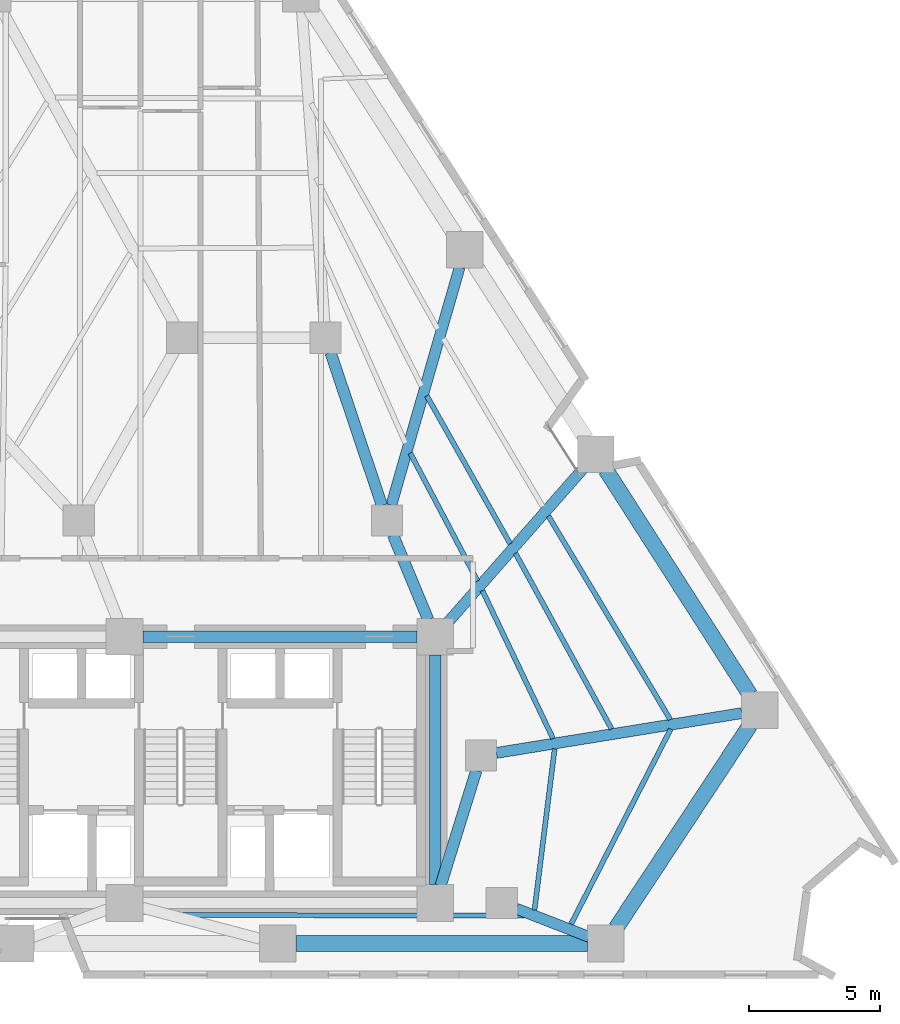
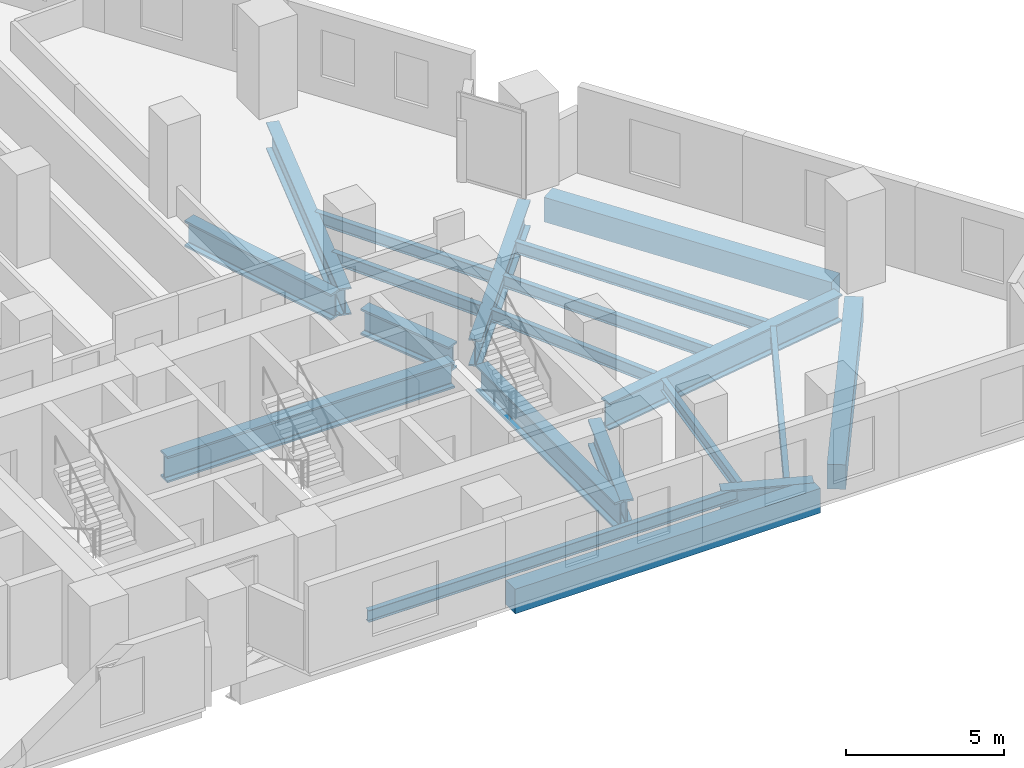
# One storey, part 4 of 13: 20 beams.
"""IFC4 building model written with IfcOpenShell, lengths in metres."""

from ifc_helpers import new_model, si_unit, direction, frame, origin, origin_2d, place, context, subcontext, project, spatial, rectangle, i_section, extrude, material, material_profile, profile_set, type_object, element, save


model = new_model("IFC4")

# Units and contexts
model_context = context("Model", 3, precision=1e-05, world=origin(), true_north=direction((0.0, 1.0)))
body_context = subcontext(model_context, "Body", "Model", "MODEL_VIEW")
ifc_project = project(units=[si_unit("LENGTHUNIT", "METRE"), si_unit("AREAUNIT", "SQUARE_METRE"), si_unit("VOLUMEUNIT", "CUBIC_METRE"), si_unit("PLANEANGLEUNIT", "RADIAN"), si_unit("MASSUNIT", "GRAM", prefix="KILO")], contexts=[model_context])

# Site, building, storey
site_placement = place(None, origin())
site = spatial("IfcSite", under=ifc_project, at=site_placement, CompositionType="ELEMENT")
building_placement = place(site_placement, origin())
building = spatial("IfcBuilding", under=site, at=building_placement, Name="Almagre Mirador Tower", CompositionType="ELEMENT")
storey_placement = place(building_placement, frame((0.0, 0.0, 49.800048828125)))
storey = spatial("IfcBuildingStorey", under=building, at=storey_placement, Name="L11", CompositionType="ELEMENT", Elevation=49.800048828125)

# Beams
ifc_material_1 = material(Name="Steel ASTM A992 Grade 50", Category="steel")
ifc_material_profile_1 = material_profile(ifc_material_1, i_section(OverallWidth=0.19091796875, OverallDepth=0.4599609375, WebThickness=0.010009765625, FlangeThickness=0.01611328125, FilletRadius=0.01611328125, at=origin_2d()), Name="W18X55")
ifc_profile_set_1 = profile_set([ifc_material_profile_1], Name="Steel ASTM A992 Grade 50")
beam_type_1 = type_object("IfcBeamType", Name="BM-JST-W18X55", PredefinedType="JOIST", material=ifc_profile_set_1)
beam_1_placement = place(storey_placement, frame((37.12109375, 4.0849609375, -0.47998046875), z_axis=(0.999999653669, -0.000832262562, 0.0), x_axis=(0.000832262562, 0.999999653669, 0.0)))
element("IfcBeam", 1, at=beam_1_placement, inside=storey, type_object=beam_type_1, Name="L11 secondary floor joist PC03-PC04.3", PredefinedType="JOIST", context=body_context, shape_type="SweptSolid", body=[
    extrude(i_section(OverallWidth=0.19091796875, OverallDepth=0.4599609375, WebThickness=0.010009765625, FlangeThickness=0.01611328125, FilletRadius=0.01611328125, at=origin_2d()), origin(), (0.0, 0.0, 1.0), 13.493896484375),
])
beam_2_placement = place(storey_placement, frame((52.25048828125, 3.742431640625, -0.47998046875), z_axis=(0.454943766331, 0.890520167922, 0.0), x_axis=(-0.890520167922, 0.454943766331, 0.0)))
element("IfcBeam", 2, at=beam_2_placement, inside=storey, type_object=beam_type_1, Name="L11 secondary floor joist PC04-PC05.1", PredefinedType="JOIST", context=body_context, shape_type="SweptSolid", body=[
    extrude(i_section(OverallWidth=0.19091796875, OverallDepth=0.4599609375, WebThickness=0.010009765625, FlangeThickness=0.01611328125, FilletRadius=0.01611328125, at=origin_2d()), origin(), (0.0, 0.0, 1.0), 8.3828125),
])
beam_3_placement = place(storey_placement, frame((50.8505859375, 4.281494140625, -0.47998046875), z_axis=(0.124020243408, 0.992279688004, 0.0), x_axis=(-0.992279688004, 0.124020243408, 0.0)))
element("IfcBeam", 3, at=beam_3_placement, inside=storey, type_object=beam_type_1, Name="L11 secondary floor joist PC04-PC05.3", PredefinedType="JOIST", context=body_context, shape_type="SweptSolid", body=[
    extrude(i_section(OverallWidth=0.19091796875, OverallDepth=0.4599609375, WebThickness=0.010009765625, FlangeThickness=0.01611328125, FilletRadius=0.01611328125, at=origin_2d()), origin(), (0.0, 0.0, 1.0), 6.220703125),
])
beam_4_placement = place(storey_placement, frame((56.0517578125, 11.57373046875, -0.47998046875), z_axis=(-0.513871177403, 0.857867363311, 0.0), x_axis=(-0.857867363311, -0.513871177403, 0.0)))
element("IfcBeam", 4, at=beam_4_placement, inside=storey, type_object=beam_type_1, Name="L11 secondary floor joist PC05-PC06.1", PredefinedType="JOIST", context=body_context, shape_type="SweptSolid", body=[
    extrude(i_section(OverallWidth=0.19091796875, OverallDepth=0.4599609375, WebThickness=0.010009765625, FlangeThickness=0.01611328125, FilletRadius=0.01611328125, at=origin_2d()), origin(), (0.0, 0.0, 1.0), 9.08447265625),
])
beam_5_placement = place(storey_placement, frame((53.802978515625, 11.2119140625, -0.47998046875), z_axis=(-0.480004943327, 0.877265783205, 0.0), x_axis=(-0.877265783205, -0.480004943327, 0.0)))
element("IfcBeam", 5, at=beam_5_placement, inside=storey, type_object=beam_type_1, Name="L11 secondary floor joist PC05-PC06.2", PredefinedType="JOIST", context=body_context, shape_type="SweptSolid", body=[
    extrude(i_section(OverallWidth=0.19091796875, OverallDepth=0.4599609375, WebThickness=0.010009765625, FlangeThickness=0.01611328125, FilletRadius=0.01611328125, at=origin_2d()), origin(), (0.0, 0.0, 1.0), 7.66845703125),
])
beam_6_placement = place(storey_placement, frame((51.557861328125, 10.85107421875, -0.47998046875), z_axis=(-0.430675529858, 0.902506835421, 0.0), x_axis=(-0.902506835421, -0.430675529858, 0.0)))
element("IfcBeam", 6, at=beam_6_placement, inside=storey, type_object=beam_type_1, Name="L11 secondary floor joist PC05-PC06.3", PredefinedType="JOIST", context=body_context, shape_type="SweptSolid", body=[
    extrude(i_section(OverallWidth=0.19091796875, OverallDepth=0.4599609375, WebThickness=0.010009765625, FlangeThickness=0.01611328125, FilletRadius=0.01611328125, at=origin_2d()), origin(), (0.0, 0.0, 1.0), 6.270263671875),
])
beam_7_placement = place(storey_placement, frame((49.918701171875, 18.305419921875, -0.47998046875), z_axis=(-0.490831296071, 0.871254634879, 0.0), x_axis=(-0.871254634879, -0.490831296071, 0.0)))
element("IfcBeam", 7, at=beam_7_placement, inside=storey, type_object=beam_type_1, Name="L11 secondary floor joist PC06-PC07.2", PredefinedType="JOIST", context=body_context, shape_type="SweptSolid", body=[
    extrude(i_section(OverallWidth=0.19091796875, OverallDepth=0.4599609375, WebThickness=0.010009765625, FlangeThickness=0.01611328125, FilletRadius=0.01611328125, at=origin_2d()), origin(), (0.0, 0.0, 1.0), 6.505615234375),
])
beam_8_placement = place(storey_placement, frame((48.66943359375, 16.884521484375, -0.47998046875), z_axis=(-0.46582280431, 0.884878022659, 0.0), x_axis=(-0.884878022659, -0.46582280431, 0.0)))
element("IfcBeam", 8, at=beam_8_placement, inside=storey, type_object=beam_type_1, Name="L11 secondary floor joist PC06-PC07.3", PredefinedType="JOIST", context=body_context, shape_type="SweptSolid", body=[
    extrude(i_section(OverallWidth=0.19091796875, OverallDepth=0.4599609375, WebThickness=0.010009765625, FlangeThickness=0.01611328125, FilletRadius=0.01611328125, at=origin_2d()), origin(), (0.0, 0.0, 1.0), 5.533447265625),
])
ifc_material_2 = material(Name="Precast concrete C50/60", Category="concrete")
ifc_material_profile_2 = material_profile(ifc_material_2, rectangle(XDim=0.60009765625, YDim=0.949951171875, at=origin_2d()), Name="RC600X950")
ifc_profile_set_2 = profile_set([ifc_material_profile_2], Name="Precast concrete C50/60")
beam_type_2 = type_object("IfcBeamType", Name="BM-SPN-RC600X950", PredefinedType="SPANDREL", material=ifc_profile_set_2)
beam_9_placement = place(storey_placement, frame((41.72412109375, 3.0, -0.72509765625), z_axis=(1.0, 0.0, 0.0), x_axis=(0.0, 1.0, 0.0)))
element("IfcBeam", 9, at=beam_9_placement, inside=storey, type_object=beam_type_2, Name="L11 perimeter spandrel beam PC03-PC04", PredefinedType="SPANDREL", context=body_context, shape_type="SweptSolid", body=[
    extrude(rectangle(XDim=0.60009765625, YDim=0.949951171875, at=origin_2d()), origin(), (0.0, 0.0, 1.0), 11.159912109375),
])
beam_10_placement = place(storey_placement, frame((53.9697265625, 3.584228515625, -0.72509765625), z_axis=(0.550976725149, 0.834520609898, 0.0), x_axis=(-0.834520609898, 0.550976725149, 0.0)))
element("IfcBeam", 10, at=beam_10_placement, inside=storey, type_object=beam_type_2, Name="L11 perimeter spandrel beam PC04-PC05", PredefinedType="SPANDREL", context=body_context, shape_type="SweptSolid", body=[
    extrude(rectangle(XDim=0.60009765625, YDim=0.949951171875, at=origin_2d()), origin(), (0.0, 0.0, 1.0), 9.304443359375),
])
beam_11_placement = place(storey_placement, frame((59.104248046875, 12.5224609375, -0.72509765625), z_axis=(-0.539549548581, 0.841953849463, 0.0), x_axis=(-0.841953849463, -0.539549548581, 0.0)))
element("IfcBeam", 11, at=beam_11_placement, inside=storey, type_object=beam_type_2, Name="L11 perimeter spandrel beam PC05-PC06", PredefinedType="SPANDREL", context=body_context, shape_type="SweptSolid", body=[
    extrude(rectangle(XDim=0.60009765625, YDim=0.949951171875, at=origin_2d()), origin(), (0.0, 0.0, 1.0), 10.239501953125),
])
ifc_material_3 = material(Name="Steel ASTM A992 Grade 50", Category="steel")
ifc_material_profile_3 = material_profile(ifc_material_3, i_section(OverallWidth=0.43701171875, OverallDepth=1.010986328125, WebThickness=0.041015625, FlangeThickness=0.073974609375, FilletRadius=0.028076171875, at=origin_2d()), Name="W36X529")
ifc_profile_set_3 = profile_set([ifc_material_profile_3], Name="Steel ASTM A992 Grade 50")
beam_type_3 = type_object("IfcBeamType", Name="BM-STL-W36X529", PredefinedType="BEAM", material=ifc_profile_set_3)
beam_12_placement = place(storey_placement, frame((35.85009765625, 14.75, -0.755615234375), z_axis=(1.0, 0.0, 0.0), x_axis=(0.0, 1.0, 0.0)))
element("IfcBeam", 12, at=beam_12_placement, inside=storey, type_object=beam_type_3, Name="L11 core tie girder CC5-CC6", PredefinedType="BEAM", context=body_context, shape_type="SweptSolid", body=[
    extrude(i_section(OverallWidth=0.43701171875, OverallDepth=1.010986328125, WebThickness=0.041015625, FlangeThickness=0.073974609375, FilletRadius=0.028076171875, at=origin_2d()), origin(), (0.0, 0.0, 1.0), 10.5),
])
beam_13_placement = place(storey_placement, frame((47.050048828125, 5.25, -0.755615234375), z_axis=(0.0, 1.0, 0.0), x_axis=(-1.0, 0.0, 0.0)))
element("IfcBeam", 13, at=beam_13_placement, inside=storey, type_object=beam_type_3, Name="L11 core tie girder CC3-CC6", PredefinedType="BEAM", context=body_context, shape_type="SweptSolid", body=[
    extrude(i_section(OverallWidth=0.43701171875, OverallDepth=1.010986328125, WebThickness=0.041015625, FlangeThickness=0.073974609375, FilletRadius=0.028076171875, at=origin_2d()), origin(), (0.0, 0.0, 1.0), 8.800048828125),
])
beam_14_placement = place(storey_placement, frame((48.62255859375, 9.626953125, -0.755615234375), z_axis=(-0.295888328273, -0.955222538046, 0.0), x_axis=(0.955222538046, -0.295888328273, 0.0)))
element("IfcBeam", 14, at=beam_14_placement, inside=storey, type_object=beam_type_3, Name="L11 core tie girder MC3-CC3", PredefinedType="BEAM", context=body_context, shape_type="SweptSolid", body=[
    extrude(i_section(OverallWidth=0.43701171875, OverallDepth=1.010986328125, WebThickness=0.041015625, FlangeThickness=0.073974609375, FilletRadius=0.028076171875, at=origin_2d()), origin(), (0.0, 0.0, 1.0), 4.61474609375),
])
beam_15_placement = place(storey_placement, frame((45.430419921875, 18.64599609375, -0.755615234375), z_axis=(0.383856635851, -0.923392702545, 0.0), x_axis=(0.923392702545, 0.383856635851, 0.0)))
element("IfcBeam", 15, at=beam_15_placement, inside=storey, type_object=beam_type_3, Name="L11 core tie girder MC5-CC6", PredefinedType="BEAM", context=body_context, shape_type="SweptSolid", body=[
    extrude(i_section(OverallWidth=0.43701171875, OverallDepth=1.010986328125, WebThickness=0.041015625, FlangeThickness=0.073974609375, FilletRadius=0.028076171875, at=origin_2d()), origin(), (0.0, 0.0, 1.0), 3.51904296875),
])
beam_16_placement = place(storey_placement, frame((43.041015625, 25.631103515625, -0.755615234375), z_axis=(0.318252395552, -0.948006019351, 0.0), x_axis=(0.948006019351, 0.318252395552, 0.0)))
element("IfcBeam", 16, at=beam_16_placement, inside=storey, type_object=beam_type_3, Name="L11 core tie girder MC6-MC5", PredefinedType="BEAM", context=body_context, shape_type="SweptSolid", body=[
    extrude(i_section(OverallWidth=0.43701171875, OverallDepth=1.010986328125, WebThickness=0.041015625, FlangeThickness=0.073974609375, FilletRadius=0.028076171875, at=origin_2d()), origin(), (0.0, 0.0, 1.0), 6.183837890625),
])
ifc_material_4 = material(Name="Steel ASTM A913 Grade 65", Category="steel")
ifc_material_profile_4 = material_profile(ifc_material_4, i_section(OverallWidth=0.4189453125, OverallDepth=1.041015625, WebThickness=0.031005859375, FlangeThickness=0.055908203125, FilletRadius=0.030029296875, at=origin_2d()), Name="W40X397")
ifc_profile_set_4 = profile_set([ifc_material_profile_4], Name="Steel ASTM A913 Grade 65")
beam_type_4 = type_object("IfcBeamType", Name="BM-STL-W40X397", PredefinedType="BEAM", material=ifc_profile_set_4)
beam_17_placement = place(storey_placement, frame((52.931640625, 3.25390625, -0.7705078125), z_axis=(-0.931955378588, 0.362572988957, 0.0), x_axis=(-0.362572988957, -0.931955378588, 0.0)))
element("IfcBeam", 17, at=beam_17_placement, inside=storey, type_object=beam_type_4, Name="L11 radial floor girder PC04-MC2", PredefinedType="BEAM", context=body_context, shape_type="SweptSolid", body=[
    extrude(i_section(OverallWidth=0.4189453125, OverallDepth=1.041015625, WebThickness=0.031005859375, FlangeThickness=0.055908203125, FilletRadius=0.030029296875, at=origin_2d()), origin(), (0.0, 0.0, 1.0), 2.974853515625),
])
beam_18_placement = place(storey_placement, frame((58.791015625, 11.82080078125, -0.7705078125), z_axis=(-0.987096387793, -0.160127203205, 0.0), x_axis=(0.160127203205, -0.987096387793, 0.0)))
element("IfcBeam", 18, at=beam_18_placement, inside=storey, type_object=beam_type_4, Name="L11 radial floor girder PC05-MC3", PredefinedType="BEAM", context=body_context, shape_type="SweptSolid", body=[
    extrude(i_section(OverallWidth=0.4189453125, OverallDepth=1.041015625, WebThickness=0.031005859375, FlangeThickness=0.055908203125, FilletRadius=0.030029296875, at=origin_2d()), origin(), (0.0, 0.0, 1.0), 9.521484375),
])
beam_19_placement = place(storey_placement, frame((52.7392578125, 21.207763671875, -0.7705078125), z_axis=(-0.661045445009, -0.750345866673, 0.0), x_axis=(0.750345866673, -0.661045445009, 0.0)))
element("IfcBeam", 19, at=beam_19_placement, inside=storey, type_object=beam_type_4, Name="L11 radial floor girder PC06-CC6", PredefinedType="BEAM", context=body_context, shape_type="SweptSolid", body=[
    extrude(i_section(OverallWidth=0.4189453125, OverallDepth=1.041015625, WebThickness=0.031005859375, FlangeThickness=0.055908203125, FilletRadius=0.030029296875, at=origin_2d()), origin(), (0.0, 0.0, 1.0), 7.906494140625),
])
beam_20_placement = place(storey_placement, frame((47.98486328125, 28.900146484375, -0.7705078125), z_axis=(-0.275954024649, -0.961170836158, 0.0), x_axis=(0.961170836158, -0.275954024649, 0.0)))
element("IfcBeam", 20, at=beam_20_placement, inside=storey, type_object=beam_type_4, Name="L11 radial floor girder PC07-MC5", PredefinedType="BEAM", context=body_context, shape_type="SweptSolid", body=[
    extrude(i_section(OverallWidth=0.4189453125, OverallDepth=1.041015625, WebThickness=0.031005859375, FlangeThickness=0.055908203125, FilletRadius=0.030029296875, at=origin_2d()), origin(), (0.0, 0.0, 1.0), 9.4921875),
])

save(model, "model.ifc")
